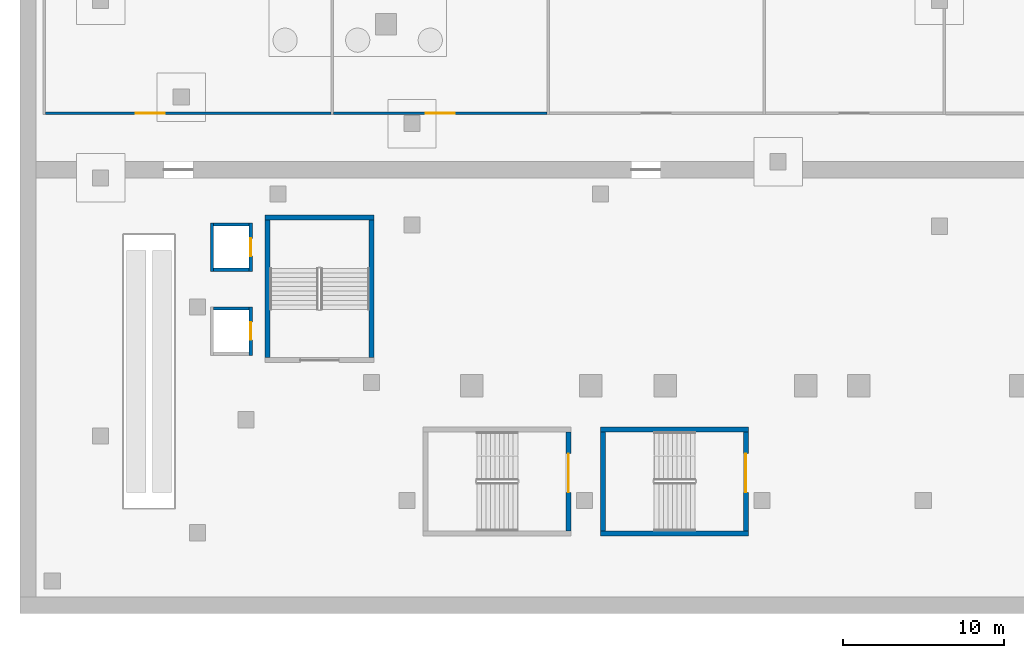
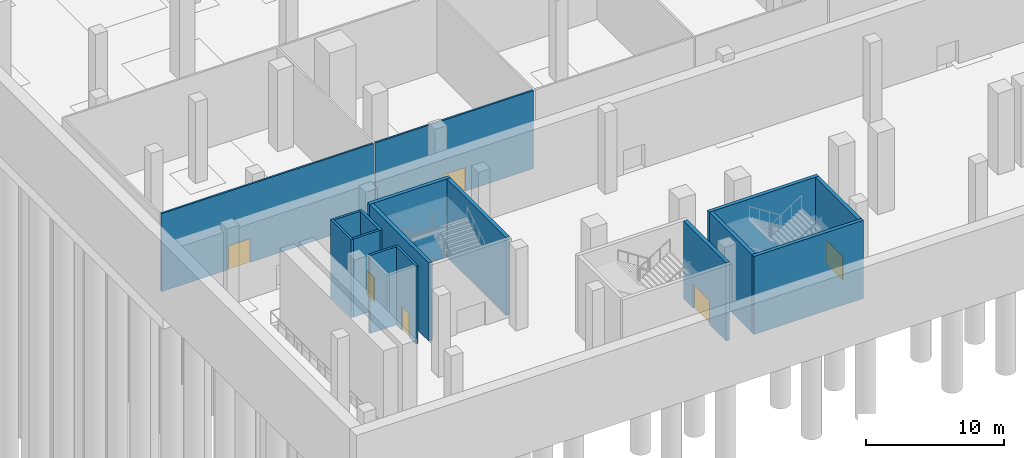
# One storey, part 4 of 15: 16 walls, 6 doors, 6 openings.
"""IFC4 building model written with IfcOpenShell, lengths in metres."""

from ifc_helpers import new_model, si_unit, direction, frame, frame_2d, origin, place, context, subcontext, project, spatial, rectangle, extrude, material, layer, layer_set, type_object, element, fill, save


model = new_model("IFC4")

# Units and contexts
model_context = context("Model", 3, precision=1e-05, world=origin(), true_north=direction((0.0, 1.0)))
body_context = subcontext(model_context, "Body", "Model", "MODEL_VIEW")
ifc_project = project(units=[si_unit("LENGTHUNIT", "METRE"), si_unit("AREAUNIT", "SQUARE_METRE"), si_unit("VOLUMEUNIT", "CUBIC_METRE"), si_unit("PLANEANGLEUNIT", "RADIAN"), si_unit("MASSUNIT", "GRAM", prefix="KILO")], contexts=[model_context])

# Site, building, storey
site_placement = place(None, origin())
site = spatial("IfcSite", under=ifc_project, at=site_placement, CompositionType="ELEMENT")
building_placement = place(site_placement, origin())
building = spatial("IfcBuilding", under=site, at=building_placement, Name="Wharfspan Tower", CompositionType="ELEMENT")
storey_placement = place(building_placement, frame((0.0, 0.0, -7.199951)))
storey = spatial("IfcBuildingStorey", under=building, at=storey_placement, Name="B1", CompositionType="ELEMENT", Elevation=-7.199951)

# Wall, opening, door
ifc_material_1 = material(Name="Calcium silicate masonry", Category="masonry")
ifc_layer_1 = layer(ifc_material_1, 0.149902)
ifc_layer_set_1 = layer_set([ifc_layer_1], Name="Calcium silicate masonry")
wall_type_1 = type_object("IfcWallType", Name="Podium room wall 150", PredefinedType="PARTITIONING", material=ifc_layer_set_1)
wall_1_placement = place(storey_placement, frame((-14.425049, -5.0, 0.0), z_axis=(0.0, 0.0, 1.0), x_axis=(1.0, 0.0, 0.0)))
wall_1 = element("IfcWall", 1, at=wall_1_placement, inside=storey, type_object=wall_type_1, Name="iw:B1:1", PredefinedType="PARTITIONING", context=body_context, shape_type="SweptSolid", body=[
    extrude(rectangle(XDim=17.707031, YDim=0.149902, at=frame_2d((8.853516, 0.0))), origin(), (0.0, 0.0, 1.0), 6.899902),
])
opening_1_placement = place(wall_1_placement, frame((5.60498, 0.0, 0.0)))
opening_1 = element("IfcOpeningElement", 2, at=opening_1_placement, cuts=wall_1, Name="Opening PD1.1", PredefinedType="OPENING", context=body_context, shape_type="SweptSolid", body=[
    extrude(rectangle(XDim=1.800049, YDim=2.100098, at=frame_2d((0.899902, 1.050049))), frame((0.0, 0.084961, 0.0), z_axis=(0.0, -1.0, 0.0), x_axis=(1.0, 0.0, 0.0)), (0.0, 0.0, 1.0), 0.169922),
])
ifc_material_2 = material(Name="Steel door leaf", Category="steel")
door_type_1 = type_object("IfcDoorType", Name="Podium double door 1800x2100", OperationType="DOUBLE_DOOR_SINGLE_SWING", PredefinedType="DOOR", material=ifc_material_2)
door_1_placement = place(opening_1_placement, origin())
door_1 = element("IfcDoor", 3, at=door_1_placement, inside=storey, type_object=door_type_1, Name="id:B1:1", OperationType="DOUBLE_DOOR_SINGLE_SWING", OverallHeight=2.100098, OverallWidth=1.800049, PredefinedType="DOOR", context=body_context, shape_type="SweptSolid", body=[
    extrude(rectangle(XDim=1.800049, YDim=2.100098, at=frame_2d((0.899902, 1.050049))), frame((0.0, 0.024902, 0.0), z_axis=(0.0, -1.0, 0.0), x_axis=(1.0, 0.0, 0.0)), (0.0, 0.0, 1.0), 0.050049),
])
fill(opening_1, door_1)

wall_2_placement = place(storey_placement, frame((3.431885, -5.0, 0.0), z_axis=(0.0, 0.0, 1.0), x_axis=(1.0, 0.0, 0.0)))
wall_2 = element("IfcWall", 4, at=wall_2_placement, inside=storey, type_object=wall_type_1, Name="iw:B1:2", PredefinedType="PARTITIONING", context=body_context, shape_type="SweptSolid", body=[
    extrude(rectangle(XDim=13.243164, YDim=0.149902, at=frame_2d((6.621582, 0.0))), origin(), (0.0, 0.0, 1.0), 6.899902),
])
opening_2_placement = place(wall_2_placement, frame((5.72168, 0.0, 0.0)))
opening_2 = element("IfcOpeningElement", 5, at=opening_2_placement, cuts=wall_2, Name="Opening PD1.2", PredefinedType="OPENING", context=body_context, shape_type="SweptSolid", body=[
    extrude(rectangle(XDim=1.800049, YDim=2.100098, at=frame_2d((0.899902, 1.050049))), frame((0.0, 0.084961, 0.0), z_axis=(0.0, -1.0, 0.0), x_axis=(1.0, 0.0, 0.0)), (0.0, 0.0, 1.0), 0.169922),
])
door_2_placement = place(opening_2_placement, origin())
door_2 = element("IfcDoor", 6, at=door_2_placement, inside=storey, type_object=door_type_1, Name="id:B1:2", OperationType="DOUBLE_DOOR_SINGLE_SWING", OverallHeight=2.100098, OverallWidth=1.800049, PredefinedType="DOOR", context=body_context, shape_type="SweptSolid", body=[
    extrude(rectangle(XDim=1.800049, YDim=2.100098, at=frame_2d((0.899902, 1.050049))), frame((0.0, 0.024902, 0.0), z_axis=(0.0, -1.0, 0.0), x_axis=(1.0, 0.0, 0.0)), (0.0, 0.0, 1.0), 0.050049),
])
fill(opening_2, door_2)

ifc_material_3 = material(Name="Concrete C30/37", Category="concrete")
ifc_layer_2 = layer(ifc_material_3, 0.199951)
ifc_layer_set_2 = layer_set([ifc_layer_2], Name="Concrete C30/37")
wall_type_2 = type_object("IfcWallType", Name="Podium shaft wall 200", PredefinedType="PARTITIONING", material=ifc_layer_set_2)
wall_3_placement = place(storey_placement, frame((-1.699951, -20.0, 0.0), z_axis=(0.0, 0.0, 1.0), x_axis=(0.0, 1.0, 0.0)))
wall_3 = element("IfcWall", 7, at=wall_3_placement, inside=storey, type_object=wall_type_2, Name="pl:LP1:B1:E", PredefinedType="PARTITIONING", context=body_context, shape_type="SweptSolid", body=[
    extrude(rectangle(XDim=3.0, YDim=0.199951, at=frame_2d((1.5, 0.0))), origin(), (0.0, 0.0, 1.0), 6.899902),
])
opening_3_placement = place(wall_3_placement, frame((0.949951, 0.0, 0.0)))
opening_3 = element("IfcOpeningElement", 8, at=opening_3_placement, cuts=wall_3, Name="Opening LDP1.B1", PredefinedType="OPENING", context=body_context, shape_type="SweptSolid", body=[
    extrude(rectangle(XDim=1.100098, YDim=2.100098, at=frame_2d((0.550049, 1.050049))), frame((0.0, 0.109863, 0.0), z_axis=(0.0, -1.0, 0.0), x_axis=(1.0, 0.0, 0.0)), (0.0, 0.0, 1.0), 0.219971),
])
ifc_material_4 = material(Name="Stainless steel", Category="steel")
door_type_2 = type_object("IfcDoorType", Name="Podium lift landing door 1100x2100", OperationType="DOUBLE_DOOR_SLIDING", PredefinedType="DOOR", material=ifc_material_4)
door_3_placement = place(opening_3_placement, origin())
door_3 = element("IfcDoor", 9, at=door_3_placement, inside=storey, type_object=door_type_2, Name="Landing door LP1 B1", OperationType="DOUBLE_DOOR_SLIDING", OverallHeight=2.100098, OverallWidth=1.100098, PredefinedType="DOOR", context=body_context, shape_type="SweptSolid", body=[
    extrude(rectangle(XDim=1.100098, YDim=2.100098, at=frame_2d((0.550049, 1.050049))), frame((0.0, 0.024902, 0.0), z_axis=(0.0, -1.0, 0.0), x_axis=(1.0, 0.0, 0.0)), (0.0, 0.0, 1.0), 0.050049),
])
fill(opening_3, door_3)

# Walls
wall_4_placement = place(storey_placement, frame((-4.0, -17.100098, 0.0), z_axis=(0.0, 0.0, 1.0), x_axis=(1.0, 0.0, 0.0)))
element("IfcWall", 10, at=wall_4_placement, inside=storey, type_object=wall_type_2, Name="pl:LP1:B1:N", PredefinedType="PARTITIONING", context=body_context, shape_type="SweptSolid", body=[
    extrude(rectangle(XDim=2.199951, YDim=0.199951, at=frame_2d((1.100098, 0.0))), origin(), (0.0, 0.0, 1.0), 6.899902),
])
wall_5_placement = place(storey_placement, frame((-4.100098, -14.800049, 0.0), z_axis=(0.0, 0.0, 1.0), x_axis=(0.0, 1.0, 0.0)))
element("IfcWall", 11, at=wall_5_placement, inside=storey, type_object=wall_type_2, Name="pl:LP3:B1:W", PredefinedType="PARTITIONING", context=body_context, shape_type="SweptSolid", body=[
    extrude(rectangle(XDim=3.0, YDim=0.199951, at=frame_2d((1.5, 0.0))), origin(), (0.0, 0.0, 1.0), 6.899902),
])

# Wall, opening, door
wall_6_placement = place(storey_placement, frame((-1.699951, -14.800049, 0.0), z_axis=(0.0, 0.0, 1.0), x_axis=(0.0, 1.0, 0.0)))
wall_6 = element("IfcWall", 12, at=wall_6_placement, inside=storey, type_object=wall_type_2, Name="pl:LP3:B1:E", PredefinedType="PARTITIONING", context=body_context, shape_type="SweptSolid", body=[
    extrude(rectangle(XDim=3.0, YDim=0.199951, at=frame_2d((1.5, 0.0))), origin(), (0.0, 0.0, 1.0), 6.899902),
])
opening_4_placement = place(wall_6_placement, frame((0.949951, 0.0, 0.0)))
opening_4 = element("IfcOpeningElement", 13, at=opening_4_placement, cuts=wall_6, Name="Opening LDP3.B1", PredefinedType="OPENING", context=body_context, shape_type="SweptSolid", body=[
    extrude(rectangle(XDim=1.100098, YDim=2.100098, at=frame_2d((0.550049, 1.050049))), frame((0.0, 0.109863, 0.0), z_axis=(0.0, -1.0, 0.0), x_axis=(1.0, 0.0, 0.0)), (0.0, 0.0, 1.0), 0.219971),
])
door_4_placement = place(opening_4_placement, origin())
door_4 = element("IfcDoor", 14, at=door_4_placement, inside=storey, type_object=door_type_2, Name="Landing door LP3 B1", OperationType="DOUBLE_DOOR_SLIDING", OverallHeight=2.100098, OverallWidth=1.100098, PredefinedType="DOOR", context=body_context, shape_type="SweptSolid", body=[
    extrude(rectangle(XDim=1.100098, YDim=2.100098, at=frame_2d((0.550049, 1.050049))), frame((0.0, 0.024902, 0.0), z_axis=(0.0, -1.0, 0.0), x_axis=(1.0, 0.0, 0.0)), (0.0, 0.0, 1.0), 0.050049),
])
fill(opening_4, door_4)

# Walls
for number, where, z_axis, x_axis, name in (
    (15, (-4.0, -14.699951, 0.0), (0.0, 0.0, 1.0), (1.0, 0.0, 0.0), "pl:LP3:B1:S"),
    (16, (-4.0, -11.899902, 0.0), (0.0, 0.0, 1.0), (1.0, 0.0, 0.0), "pl:LP3:B1:N"),
):
    element("IfcWall", number, at=place(storey_placement, frame(where, z_axis=z_axis, x_axis=x_axis)), inside=storey, type_object=wall_type_2, Name=name, PredefinedType="PARTITIONING", context=body_context, shape_type="SweptSolid", body=[
        extrude(rectangle(XDim=2.199951, YDim=0.199951, at=frame_2d((1.100098, 0.0))), origin(), (0.0, 0.0, 1.0), 6.899902),
    ])

# Wall, opening, door
ifc_material_5 = material(Name="Concrete C40/50", Category="concrete")
ifc_layer_3 = layer(ifc_material_5, 0.300049)
ifc_layer_set_3 = layer_set([ifc_layer_3], Name="Concrete C40/50")
wall_type_3 = type_object("IfcWallType", Name="Podium stair core wall 300", PredefinedType="SHEAR", material=ifc_layer_set_3)
wall_7_placement = place(storey_placement, frame((18.0, -30.899902, 0.0), z_axis=(0.0, 0.0, 1.0), x_axis=(0.0, 1.0, 0.0)))
wall_7 = element("IfcWall", 17, at=wall_7_placement, inside=storey, type_object=wall_type_3, Name="iw:B1:SB1E", PredefinedType="SHEAR", context=body_context, shape_type="SweptSolid", body=[
    extrude(rectangle(XDim=6.149902, YDim=0.300049, at=frame_2d((3.074951, 0.0))), origin(), (0.0, 0.0, 1.0), 6.899902),
])
opening_5_placement = place(wall_7_placement, frame((2.399902, 0.0, 0.0)))
opening_5 = element("IfcOpeningElement", 18, at=opening_5_placement, cuts=wall_7, Name="Opening SDSB1.B1", PredefinedType="OPENING", context=body_context, shape_type="SweptSolid", body=[
    extrude(rectangle(XDim=2.399902, YDim=2.100098, at=frame_2d((1.199951, 1.050049))), frame((0.0, 0.159912, 0.0), z_axis=(0.0, -1.0, 0.0), x_axis=(1.0, 0.0, 0.0)), (0.0, 0.0, 1.0), 0.320068),
])
door_type_3 = type_object("IfcDoorType", Name="Podium stair door 2400x2100", OperationType="DOUBLE_DOOR_SINGLE_SWING", PredefinedType="DOOR", material=ifc_material_2)
door_5_placement = place(opening_5_placement, origin())
door_5 = element("IfcDoor", 19, at=door_5_placement, inside=storey, type_object=door_type_3, Name="id:B1:SB1", OperationType="DOUBLE_DOOR_SINGLE_SWING", OverallHeight=2.100098, OverallWidth=2.399902, PredefinedType="DOOR", context=body_context, shape_type="SweptSolid", body=[
    extrude(rectangle(XDim=2.399902, YDim=2.100098, at=frame_2d((1.199951, 1.050049))), frame((0.0, 0.024902, 0.0), z_axis=(0.0, -1.0, 0.0), x_axis=(1.0, 0.0, 0.0)), (0.0, 0.0, 1.0), 0.050049),
])
fill(opening_5, door_5)

# Walls
for number, where, z_axis, x_axis, name in (
    (20, (20.0, -31.050049, 0.0), (0.0, 0.0, 1.0), (1.0, 0.0, 0.0), "iw:B1:SB2S"),
    (21, (20.0, -24.600098, 0.0), (0.0, 0.0, 1.0), (1.0, 0.0, 0.0), "iw:B1:SB2N"),
):
    element("IfcWall", number, at=place(storey_placement, frame(where, z_axis=z_axis, x_axis=x_axis)), inside=storey, type_object=wall_type_3, Name=name, PredefinedType="SHEAR", context=body_context, shape_type="SweptSolid", body=[
        extrude(rectangle(XDim=9.149902, YDim=0.300049, at=frame_2d((4.574951, 0.0))), origin(), (0.0, 0.0, 1.0), 6.899902),
    ])
wall_8_placement = place(storey_placement, frame((20.149902, -30.899902, 0.0), z_axis=(0.0, 0.0, 1.0), x_axis=(0.0, 1.0, 0.0)))
element("IfcWall", 22, at=wall_8_placement, inside=storey, type_object=wall_type_3, Name="iw:B1:SB2W", PredefinedType="SHEAR", context=body_context, shape_type="SweptSolid", body=[
    extrude(rectangle(XDim=6.149902, YDim=0.300049, at=frame_2d((3.074951, 0.0))), origin(), (0.0, 0.0, 1.0), 6.899902),
])

# Wall, opening, door
wall_9_placement = place(storey_placement, frame((29.0, -30.899902, 0.0), z_axis=(0.0, 0.0, 1.0), x_axis=(0.0, 1.0, 0.0)))
wall_9 = element("IfcWall", 23, at=wall_9_placement, inside=storey, type_object=wall_type_3, Name="iw:B1:SB2E", PredefinedType="SHEAR", context=body_context, shape_type="SweptSolid", body=[
    extrude(rectangle(XDim=6.149902, YDim=0.300049, at=frame_2d((3.074951, 0.0))), origin(), (0.0, 0.0, 1.0), 6.899902),
])
opening_6_placement = place(wall_9_placement, frame((2.399902, 0.0, 0.0)))
opening_6 = element("IfcOpeningElement", 24, at=opening_6_placement, cuts=wall_9, Name="Opening SDSB2.B1", PredefinedType="OPENING", context=body_context, shape_type="SweptSolid", body=[
    extrude(rectangle(XDim=2.399902, YDim=2.100098, at=frame_2d((1.199951, 1.050049))), frame((0.0, 0.159912, 0.0), z_axis=(0.0, -1.0, 0.0), x_axis=(1.0, 0.0, 0.0)), (0.0, 0.0, 1.0), 0.320068),
])
door_6_placement = place(opening_6_placement, origin())
door_6 = element("IfcDoor", 25, at=door_6_placement, inside=storey, type_object=door_type_3, Name="id:B1:SB2", OperationType="DOUBLE_DOOR_SINGLE_SWING", OverallHeight=2.100098, OverallWidth=2.399902, PredefinedType="DOOR", context=body_context, shape_type="SweptSolid", body=[
    extrude(rectangle(XDim=2.399902, YDim=2.100098, at=frame_2d((1.199951, 1.050049))), frame((0.0, 0.024902, 0.0), z_axis=(0.0, -1.0, 0.0), x_axis=(1.0, 0.0, 0.0)), (0.0, 0.0, 1.0), 0.050049),
])
fill(opening_6, door_6)

# Walls
wall_10_placement = place(storey_placement, frame((-0.800049, -11.449951, 0.0), z_axis=(0.0, 0.0, 1.0), x_axis=(1.0, 0.0, 0.0)))
element("IfcWall", 26, at=wall_10_placement, inside=storey, type_object=wall_type_3, Name="iw:B1:SB6N", PredefinedType="SHEAR", context=body_context, shape_type="SweptSolid", body=[
    extrude(rectangle(XDim=6.75, YDim=0.300049, at=frame_2d((3.375, 0.0))), origin(), (0.0, 0.0, 1.0), 6.899902),
])
for number, where, z_axis, x_axis, name in (
    (27, (-0.649902, -20.149902, 0.0), (0.0, 0.0, 1.0), (0.0, 1.0, 0.0), "iw:B1:SB6W"),
    (28, (5.800049, -20.149902, 0.0), (0.0, 0.0, 1.0), (0.0, 1.0, 0.0), "iw:B1:SB6E"),
):
    element("IfcWall", number, at=place(storey_placement, frame(where, z_axis=z_axis, x_axis=x_axis)), inside=storey, type_object=wall_type_3, Name=name, PredefinedType="SHEAR", context=body_context, shape_type="SweptSolid", body=[
        extrude(rectangle(XDim=8.549805, YDim=0.300049, at=frame_2d((4.274902, 0.0))), origin(), (0.0, 0.0, 1.0), 6.899902),
    ])

save(model, "model.ifc")
